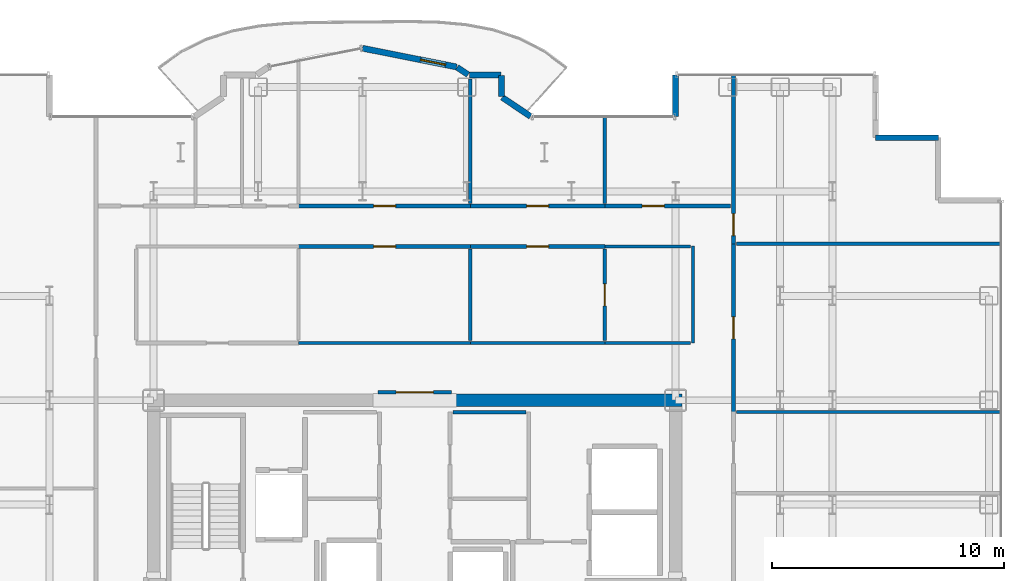
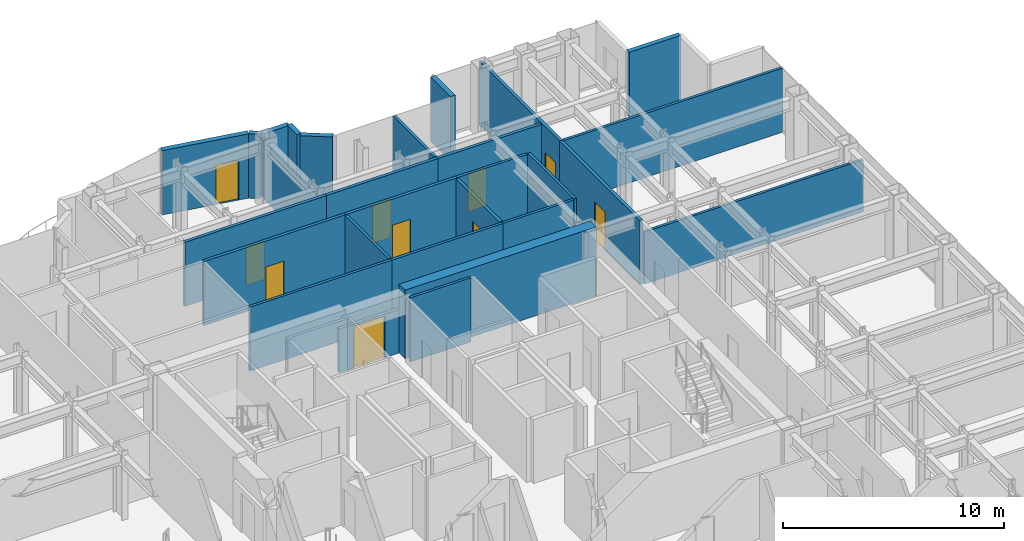
# One storey, part 20 of 23: 28 walls, 10 doors, 10 openings.
"""IFC4 building model written with IfcOpenShell, lengths in metres."""

from ifc_helpers import new_model, si_unit, direction, frame, frame_2d, origin, place, context, subcontext, project, spatial, rectangle, extrude, source, transform, mapped, material, layer, layer_set, type_object, element, fill, save


model = new_model("IFC4")

# Units and contexts
model_context = context("Model", 3, precision=1e-05, world=origin(), true_north=direction((0.0, 1.0)))
body_context = subcontext(model_context, "Body", "Model", "MODEL_VIEW")
ifc_project = project(units=[si_unit("LENGTHUNIT", "METRE"), si_unit("AREAUNIT", "SQUARE_METRE"), si_unit("VOLUMEUNIT", "CUBIC_METRE"), si_unit("PLANEANGLEUNIT", "RADIAN"), si_unit("MASSUNIT", "GRAM", prefix="KILO")], contexts=[model_context])

# Site, building, storey
site_placement = place(None, origin())
site = spatial("IfcSite", under=ifc_project, at=site_placement, CompositionType="ELEMENT")
building_placement = place(site_placement, origin())
building = spatial("IfcBuilding", under=site, at=building_placement, Name="Nefas-Gora Pilgrimage Tower", CompositionType="ELEMENT")
storey_placement = place(building_placement, frame((0.0, 0.0, 156.39990234375)))
storey = spatial("IfcBuildingStorey", under=building, at=storey_placement, Name="L38", CompositionType="ELEMENT", Elevation=156.39990234375)

# Walls
ifc_material_1 = material(Name="Concrete C60/75", Category="concrete")
ifc_layer_1 = layer(ifc_material_1, 0.550048828125)
ifc_layer_set_1 = layer_set([ifc_layer_1], Name="Concrete C60/75")
wall_type_1 = type_object("IfcWallType", Name="SW-CORE-550", PredefinedType="SHEAR", material=ifc_layer_set_1)
shared_shape_1 = source(origin(), body_context, "Body", "SweptSolid", [
    extrude(rectangle(XDim=9.974853515625, YDim=0.550048828125, at=frame_2d((4.9873046875, 0.0))), origin(), (0.0, 0.0, 1.0), 3.800048828125),
])
wall_1_placement = place(storey_placement, frame((1.550048828125, 9.0, 0.0), z_axis=(0.0, 0.0, 1.0), x_axis=(1.0, 0.0, 0.0)))
element("IfcWall", 1, at=wall_1_placement, inside=storey, type_object=wall_type_1, Name="L38 Core Shear Wall N-East", PredefinedType="SHEAR", context=body_context, shape_type="MappedRepresentation", body=[
    mapped(shared_shape_1, transform((0.0, 0.0, 0.0), x_axis=(1.0, 0.0, 0.0), y_axis=(0.0, 1.0, 0.0), z_axis=(0.0, 0.0, 1.0), scale=1.0)),
])
ifc_material_2 = material(Name="Precast concrete C40/50", Category="concrete")
ifc_layer_2 = layer(ifc_material_2, 0.260009765625)
ifc_layer_set_2 = layer_set([ifc_layer_2], Name="Precast concrete C40/50")
wall_type_2 = type_object("IfcWallType", Name="EW-PORTAL-260", PredefinedType="SOLIDWALL", material=ifc_layer_set_2)
shared_shape_2 = source(origin(), body_context, "Body", "SweptSolid", [
    extrude(rectangle(XDim=1.800048828125, YDim=0.260009765625, at=frame_2d((0.89990234375, 0.0))), origin(), (0.0, 0.0, 1.0), 3.550048828125),
])
wall_2_placement = place(storey_placement, frame((11.25, 23.02001953125, 0.0), z_axis=(0.0, 0.0, 1.0), x_axis=(0.0, -1.0, 0.0)))
element("IfcWall", 2, at=wall_2_placement, inside=storey, type_object=wall_type_2, Name="L38 Lobe Shoulder Precast Spandrel Pier 10", PredefinedType="SOLIDWALL", context=body_context, shape_type="MappedRepresentation", body=[
    mapped(shared_shape_2, transform((0.0, 0.0, 0.0), x_axis=(1.0, 0.0, 0.0), y_axis=(0.0, 1.0, 0.0), z_axis=(0.0, 0.0, 1.0), scale=1.0)),
])
ifc_material_3 = material(Name="Precast concrete C45/55", Category="concrete")
ifc_layer_3 = layer(ifc_material_3, 0.239990234375)
ifc_layer_set_3 = layer_set([ifc_layer_3], Name="Precast concrete C45/55")
wall_type_3 = type_object("IfcWallType", Name="EW-SERR-240", PredefinedType="SHEAR", material=ifc_layer_set_3)
shared_shape_3 = source(origin(), body_context, "Body", "SweptSolid", [
    extrude(rectangle(XDim=2.699951171875, YDim=0.239990234375, at=frame_2d((1.35009765625, 0.0))), origin(), (0.0, 0.0, 1.0), 3.550048828125),
])
wall_3_placement = place(storey_placement, frame((22.570068359375, 20.320068359375, 0.0), z_axis=(0.0, 0.0, 1.0), x_axis=(-1.0, 0.0, 0.0)))
element("IfcWall", 3, at=wall_3_placement, inside=storey, type_object=wall_type_3, Name="L38 Serrated Corner Shear Pier Wall 8", PredefinedType="SHEAR", context=body_context, shape_type="MappedRepresentation", body=[
    mapped(shared_shape_3, transform((0.0, 0.0, 0.0), x_axis=(1.0, 0.0, 0.0), y_axis=(0.0, 1.0, 0.0), z_axis=(0.0, 0.0, 1.0), scale=1.0)),
])
shared_shape_4 = source(origin(), body_context, "Body", "SweptSolid", [
    extrude(rectangle(XDim=1.468994140625, YDim=0.260009765625, at=frame_2d((0.734375, 0.0))), origin(), (0.0, 0.0, 1.0), 3.550048828125),
])
wall_4_placement = place(storey_placement, frame((4.99462890625, 21.235595703125, 0.0), z_axis=(0.0, 0.0, 1.0), x_axis=(-0.831461760506, 0.555581983884, 0.0)))
element("IfcWall", 4, at=wall_4_placement, inside=storey, type_object=wall_type_2, Name="L38 Lobe Shoulder Precast Spandrel Pier 11", PredefinedType="SOLIDWALL", context=body_context, shape_type="MappedRepresentation", body=[
    mapped(shared_shape_4, transform((0.0, 0.0, 0.0), x_axis=(1.0, 0.0, 0.0), y_axis=(0.0, 1.0, 0.0), z_axis=(0.0, 0.0, 1.0), scale=1.0)),
])
shared_shape_5 = source(origin(), body_context, "Body", "SweptSolid", [
    extrude(rectangle(XDim=0.896728515625, YDim=0.260009765625, at=frame_2d((0.4482421875, 0.0))), origin(), (0.0, 0.0, 1.0), 3.550048828125),
])
wall_5_placement = place(storey_placement, frame((3.75, 22.09521484375, 0.0), z_axis=(0.0, 0.0, 1.0), x_axis=(0.0, 1.0, 0.0)))
element("IfcWall", 5, at=wall_5_placement, inside=storey, type_object=wall_type_2, Name="L38 Lobe Shoulder Precast Spandrel Pier 12", PredefinedType="SOLIDWALL", context=body_context, shape_type="MappedRepresentation", body=[
    mapped(shared_shape_5, transform((0.0, 0.0, 0.0), x_axis=(1.0, 0.0, 0.0), y_axis=(0.0, 1.0, 0.0), z_axis=(0.0, 0.0, 1.0), scale=1.0)),
])
shared_shape_6 = source(origin(), body_context, "Body", "SweptSolid", [
    extrude(rectangle(XDim=1.369873046875, YDim=0.260009765625, at=frame_2d((0.68505859375, 0.0))), origin(), (0.0, 0.0, 1.0), 3.550048828125),
])
wall_6_placement = place(storey_placement, frame((3.721923828125, 23.02001953125, 0.0), z_axis=(0.0, 0.0, 1.0), x_axis=(-1.0, 0.0, 0.0)))
element("IfcWall", 6, at=wall_6_placement, inside=storey, type_object=wall_type_2, Name="L38 Lobe Shoulder Precast Spandrel Pier 13", PredefinedType="SOLIDWALL", context=body_context, shape_type="MappedRepresentation", body=[
    mapped(shared_shape_6, transform((0.0, 0.0, 0.0), x_axis=(1.0, 0.0, 0.0), y_axis=(0.0, 1.0, 0.0), z_axis=(0.0, 0.0, 1.0), scale=1.0)),
])
shared_shape_7 = source(origin(), body_context, "Body", "SweptSolid", [
    extrude(rectangle(XDim=0.5654296875, YDim=0.260009765625, at=frame_2d((0.28271484375, 0.0))), origin(), (0.0, 0.0, 1.0), 3.550048828125),
])
wall_7_placement = place(storey_placement, frame((2.30078125, 23.03564453125, 0.0), z_axis=(0.0, 0.0, 1.0), x_axis=(-0.831651492666, 0.555297933317, 0.0)))
element("IfcWall", 7, at=wall_7_placement, inside=storey, type_object=wall_type_2, Name="L38 Lobe Shoulder Precast Spandrel Pier 14", PredefinedType="SOLIDWALL", context=body_context, shape_type="MappedRepresentation", body=[
    mapped(shared_shape_7, transform((0.0, 0.0, 0.0), x_axis=(1.0, 0.0, 0.0), y_axis=(0.0, 1.0, 0.0), z_axis=(0.0, 0.0, 1.0), scale=1.0)),
])

# Wall, opening, door
shared_shape_8 = source(origin(), body_context, "Body", "SweptSolid", [
    extrude(rectangle(XDim=4.136962890625, YDim=0.260009765625, at=frame_2d((2.068359375, 0.0))), origin(), (0.0, 0.0, 1.0), 3.550048828125),
])
wall_8_placement = place(storey_placement, frame((1.807373046875, 23.365234375, 0.0), z_axis=(0.0, 0.0, 1.0), x_axis=(-0.980782170794, 0.195105954428, 0.0)))
wall_8 = element("IfcWall", 8, at=wall_8_placement, inside=storey, type_object=wall_type_2, Name="L38 Insulated Terrace Portal Wall 15", PredefinedType="SOLIDWALL", context=body_context, shape_type="MappedRepresentation", body=[
    mapped(shared_shape_8, transform((0.0, 0.0, 0.0), x_axis=(1.0, 0.0, 0.0), y_axis=(0.0, 1.0, 0.0), z_axis=(0.0, 0.0, 1.0), scale=1.0)),
])
opening_1_placement = place(wall_8_placement, frame((0.48779296875, 0.0, 0.0)))
opening_1 = element("IfcOpeningElement", 9, at=opening_1_placement, cuts=wall_8, Name="Opening ED-B1", PredefinedType="OPENING", context=body_context, shape_type="SweptSolid", body=[
    extrude(rectangle(XDim=1.10009765625, YDim=2.199951171875, at=frame_2d((0.550048828125, 1.10009765625))), frame((0.0, 0.139892578125, 0.0), z_axis=(0.0, -1.0, 0.0), x_axis=(1.0, 0.0, 0.0)), (0.0, 0.0, 1.0), 0.280029296875),
])
ifc_material_4 = material(Name="Thermally broken glazed aluminium balcony door", Category="aluminium")
door_type_1 = type_object("IfcDoorType", Name="DR-EXT-BAL-1100", OperationType="NOTDEFINED", PredefinedType="DOOR", material=ifc_material_4)
shared_shape_9 = source(origin(), body_context, "Body", "SweptSolid", [
    extrude(rectangle(XDim=1.10009765625, YDim=2.199951171875, at=frame_2d((0.550048828125, 1.10009765625))), frame((0.0, 0.02490234375, 0.0), z_axis=(0.0, -1.0, 0.0), x_axis=(1.0, 0.0, 0.0)), (0.0, 0.0, 1.0), 0.050048828125),
])
door_1_placement = place(opening_1_placement, origin())
door_1 = element("IfcDoor", 10, at=door_1_placement, inside=storey, type_object=door_type_1, Name="L38 Exterior Door (L38 N Lobe Wave Balcony)", OperationType="SINGLE_SWING_RIGHT", OverallHeight=2.199951171875, OverallWidth=1.10009765625, PredefinedType="DOOR", context=body_context, shape_type="MappedRepresentation", body=[
    mapped(shared_shape_9, transform((0.0, 0.0, 0.0), x_axis=(1.0, 0.0, 0.0), y_axis=(0.0, 1.0, 0.0), z_axis=(0.0, 0.0, 1.0), scale=1.0)),
])
fill(opening_1, door_1)

# Wall
ifc_material_5 = material(Name="Gypsum twin-stud partition")
ifc_layer_4 = layer(ifc_material_5, 0.139892578125)
ifc_layer_set_4 = layer_set([ifc_layer_4], Name="Gypsum twin-stud partition")
wall_type_4 = type_object("IfcWallType", Name="IW-UNIT-140", PredefinedType="PARTITIONING", material=ifc_layer_set_4)
shared_shape_10 = source(origin(), body_context, "Body", "SweptSolid", [
    extrude(rectangle(XDim=3.150146484375, YDim=0.139892578125, at=frame_2d((1.5751953125, 0.0))), origin(), (0.0, 0.0, 1.0), 3.53515625),
])
wall_9_placement = place(storey_placement, frame((1.639892578125, 8.47998046875, 0.0), z_axis=(0.0, 0.0, 1.0), x_axis=(1.0, 0.0, 0.0)))
element("IfcWall", 11, at=wall_9_placement, inside=storey, type_object=wall_type_4, Name="L38 Amenity Supply Store Partition Wall 25", PredefinedType="PARTITIONING", context=body_context, shape_type="MappedRepresentation", body=[
    mapped(shared_shape_10, transform((0.0, 0.0, 0.0), x_axis=(1.0, 0.0, 0.0), y_axis=(0.0, 1.0, 0.0), z_axis=(0.0, 0.0, 1.0), scale=1.0)),
])

# Wall, opening, door
ifc_material_6 = material(Name="Gypsum acoustic stud partition")
ifc_layer_5 = layer(ifc_material_6, 0.159912109375)
ifc_layer_set_5 = layer_set([ifc_layer_5], Name="Gypsum acoustic stud partition")
wall_type_5 = type_object("IfcWallType", Name="IW-CORR-160", PredefinedType="PARTITIONING", material=ifc_layer_set_5)
shared_shape_11 = source(origin(), body_context, "Body", "SweptSolid", [
    extrude(rectangle(XDim=3.16015625, YDim=0.159912109375, at=frame_2d((1.580078125, 0.0))), origin(), (0.0, 0.0, 1.0), 2.425048828125),
])
wall_10_placement = place(storey_placement, frame((-1.580078125, 9.35009765625, 0.0), z_axis=(0.0, 0.0, 1.0), x_axis=(1.0, 0.0, 0.0)))
wall_10 = element("IfcWall", 12, at=wall_10_placement, inside=storey, type_object=wall_type_5, Name="L38 Central Lift Lobby North Portal Wall 15", PredefinedType="PARTITIONING", context=body_context, shape_type="MappedRepresentation", body=[
    mapped(shared_shape_11, transform((0.0, 0.0, 0.0), x_axis=(1.0, 0.0, 0.0), y_axis=(0.0, 1.0, 0.0), z_axis=(0.0, 0.0, 1.0), scale=1.0)),
])
opening_2_placement = place(wall_10_placement, frame((0.780029296875, 0.0, 0.0)))
opening_2 = element("IfcOpeningElement", 13, at=opening_2_placement, cuts=wall_10, Name="Opening ID-HL1", PredefinedType="OPENING", context=body_context, shape_type="SweptSolid", body=[
    extrude(rectangle(XDim=1.60009765625, YDim=2.300048828125, at=frame_2d((0.800048828125, 1.14990234375))), frame((0.0, 0.08984375, 0.0), z_axis=(0.0, -1.0, 0.0), x_axis=(1.0, 0.0, 0.0)), (0.0, 0.0, 1.0), 0.179931640625),
])
ifc_material_7 = material(Name="Double acoustic timber assembly hall door", Category="wood")
door_type_2 = type_object("IfcDoorType", Name="DR-INT-HALL-1600", OperationType="DOUBLE_DOOR_SINGLE_SWING", PredefinedType="DOOR", material=ifc_material_7)
shared_shape_12 = source(origin(), body_context, "Body", "SweptSolid", [
    extrude(rectangle(XDim=1.60009765625, YDim=2.300048828125, at=frame_2d((0.800048828125, 1.14990234375))), frame((0.0, 0.02490234375, 0.0), z_axis=(0.0, -1.0, 0.0), x_axis=(1.0, 0.0, 0.0)), (0.0, 0.0, 1.0), 0.050048828125),
])
door_2_placement = place(opening_2_placement, origin())
door_2 = element("IfcDoor", 14, at=door_2_placement, inside=storey, type_object=door_type_2, Name="L38 Central Lift Lobby North Portal Door 5", OperationType="DOUBLE_DOOR_SINGLE_SWING", OverallHeight=2.300048828125, OverallWidth=1.60009765625, PredefinedType="DOOR", context=body_context, shape_type="MappedRepresentation", body=[
    mapped(shared_shape_12, transform((0.0, 0.0, 0.0), x_axis=(1.0, 0.0, 0.0), y_axis=(0.0, 1.0, 0.0), z_axis=(0.0, 0.0, 1.0), scale=1.0)),
])
fill(opening_2, door_2)

shared_shape_13 = source(origin(), body_context, "Body", "SweptSolid", [
    extrude(rectangle(XDim=5.425048828125, YDim=0.159912109375, at=frame_2d((2.71240234375, 0.0))), origin(), (0.0, 0.0, 1.0), 3.53515625),
])
wall_11_placement = place(storey_placement, frame((8.195068359375, 17.3701171875, 0.0), z_axis=(0.0, 0.0, 1.0), x_axis=(1.0, 0.0, 0.0)))
wall_11 = element("IfcWall", 15, at=wall_11_placement, inside=storey, type_object=wall_type_5, Name="L38 Pilgrim Contemplative Lounge Partition Wall 67", PredefinedType="PARTITIONING", context=body_context, shape_type="MappedRepresentation", body=[
    mapped(shared_shape_13, transform((0.0, 0.0, 0.0), x_axis=(1.0, 0.0, 0.0), y_axis=(0.0, 1.0, 0.0), z_axis=(0.0, 0.0, 1.0), scale=1.0)),
])
opening_3_placement = place(wall_11_placement, frame((1.611083984375, 0.0, 0.0)))
opening_3 = element("IfcOpeningElement", 16, at=opening_3_placement, cuts=wall_11, Name="Opening ID-GR1", PredefinedType="OPENING", context=body_context, shape_type="SweptSolid", body=[
    extrude(rectangle(XDim=0.949951171875, YDim=2.10009765625, at=frame_2d((0.47509765625, 1.050048828125))), frame((0.0, 0.08984375, 0.0), z_axis=(0.0, -1.0, 0.0), x_axis=(1.0, 0.0, 0.0)), (0.0, 0.0, 1.0), 0.179931640625),
])
ifc_material_8 = material(Name="Solid core oak fire-rated guest entrance door")
door_type_3 = type_object("IfcDoorType", Name="DR-INT-GUEST-950", OperationType="NOTDEFINED", PredefinedType="DOOR", material=ifc_material_8)
shared_shape_14 = source(origin(), body_context, "Body", "SweptSolid", [
    extrude(rectangle(XDim=0.949951171875, YDim=2.10009765625, at=frame_2d((0.47509765625, 1.050048828125))), frame((0.0, 0.02490234375, 0.0), z_axis=(0.0, -1.0, 0.0), x_axis=(1.0, 0.0, 0.0)), (0.0, 0.0, 1.0), 0.050048828125),
])
door_3_placement = place(opening_3_placement, origin())
door_3 = element("IfcDoor", 17, at=door_3_placement, inside=storey, type_object=door_type_3, Name="L38 Pilgrim Contemplative Lounge Door 31", OperationType="SINGLE_SWING_LEFT", OverallHeight=2.10009765625, OverallWidth=0.949951171875, PredefinedType="DOOR", context=body_context, shape_type="MappedRepresentation", body=[
    mapped(shared_shape_14, transform((0.0, 0.0, 0.0), x_axis=(1.0, 0.0, 0.0), y_axis=(0.0, 1.0, 0.0), z_axis=(0.0, 0.0, 1.0), scale=1.0)),
])
fill(opening_3, door_3)

# Walls
shared_shape_15 = source(origin(), body_context, "Body", "SweptSolid", [
    extrude(rectangle(XDim=5.360107421875, YDim=0.139892578125, at=frame_2d((2.68017578125, 0.0))), origin(), (0.0, 0.0, 1.0), 2.875),
])
wall_12_placement = place(storey_placement, frame((2.39501953125, 17.489990234375, 0.0), z_axis=(0.0, 0.0, 1.0), x_axis=(0.0, 1.0, 0.0)))
element("IfcWall", 18, at=wall_12_placement, inside=storey, type_object=wall_type_4, Name="L38 Pilgrim Contemplative Lounge Partition Wall 58", PredefinedType="PARTITIONING", context=body_context, shape_type="MappedRepresentation", body=[
    mapped(shared_shape_15, transform((0.0, 0.0, 0.0), x_axis=(1.0, 0.0, 0.0), y_axis=(0.0, 1.0, 0.0), z_axis=(0.0, 0.0, 1.0), scale=1.0)),
])
shared_shape_16 = source(origin(), body_context, "Body", "SweptSolid", [
    extrude(rectangle(XDim=11.429931640625, YDim=0.139892578125, at=frame_2d((5.71484375, 0.0))), origin(), (0.0, 0.0, 1.0), 2.875),
])
wall_13_placement = place(storey_placement, frame((13.860107421875, 8.4951171875, 0.0), z_axis=(0.0, 0.0, 1.0), x_axis=(1.0, 0.0, 0.0)))
element("IfcWall", 19, at=wall_13_placement, inside=storey, type_object=wall_type_4, Name="L38 Scripture Reading Study Partition Wall 46", PredefinedType="PARTITIONING", context=body_context, shape_type="MappedRepresentation", body=[
    mapped(shared_shape_16, transform((0.0, 0.0, 0.0), x_axis=(1.0, 0.0, 0.0), y_axis=(0.0, 1.0, 0.0), z_axis=(0.0, 0.0, 1.0), scale=1.0)),
])
shared_shape_17 = source(origin(), body_context, "Body", "SweptSolid", [
    extrude(rectangle(XDim=11.429931640625, YDim=0.139892578125, at=frame_2d((5.71484375, 0.0))), origin(), (0.0, 0.0, 1.0), 3.53515625),
])
wall_14_placement = place(storey_placement, frame((13.860107421875, 15.74755859375, 0.0), z_axis=(0.0, 0.0, 1.0), x_axis=(1.0, 0.0, 0.0)))
element("IfcWall", 20, at=wall_14_placement, inside=storey, type_object=wall_type_4, Name="L38 Pilgrim Contemplative Lounge Partition Wall 48", PredefinedType="PARTITIONING", context=body_context, shape_type="MappedRepresentation", body=[
    mapped(shared_shape_17, transform((0.0, 0.0, 0.0), x_axis=(1.0, 0.0, 0.0), y_axis=(0.0, 1.0, 0.0), z_axis=(0.0, 0.0, 1.0), scale=1.0)),
])

# Wall, opening, door
shared_shape_18 = source(origin(), body_context, "Body", "SweptSolid", [
    extrude(rectangle(XDim=7.302490234375, YDim=0.159912109375, at=frame_2d((3.6513671875, 0.0))), origin(), (0.0, 0.0, 1.0), 3.53515625),
])
wall_15_placement = place(storey_placement, frame((13.739990234375, 15.737548828125, 0.0), z_axis=(0.0, 0.0, 1.0), x_axis=(0.0, 1.0, 0.0)))
wall_15 = element("IfcWall", 21, at=wall_15_placement, inside=storey, type_object=wall_type_5, Name="L38 Pilgrim Contemplative Lounge Partition Wall 47", PredefinedType="PARTITIONING", context=body_context, shape_type="MappedRepresentation", body=[
    mapped(shared_shape_18, transform((0.0, 0.0, 0.0), x_axis=(1.0, 0.0, 0.0), y_axis=(0.0, 1.0, 0.0), z_axis=(0.0, 0.0, 1.0), scale=1.0)),
])
opening_4_placement = place(wall_15_placement, frame((0.361328125, 0.0, 0.0)))
opening_4 = element("IfcOpeningElement", 22, at=opening_4_placement, cuts=wall_15, Name="Opening ID-GR1", PredefinedType="OPENING", context=body_context, shape_type="SweptSolid", body=[
    extrude(rectangle(XDim=0.949951171875, YDim=2.10009765625, at=frame_2d((0.47509765625, 1.050048828125))), frame((0.0, 0.08984375, 0.0), z_axis=(0.0, -1.0, 0.0), x_axis=(1.0, 0.0, 0.0)), (0.0, 0.0, 1.0), 0.179931640625),
])
door_4_placement = place(opening_4_placement, origin())
door_4 = element("IfcDoor", 23, at=door_4_placement, inside=storey, type_object=door_type_3, Name="L38 Pilgrim Contemplative Lounge Door 21", OperationType="SINGLE_SWING_LEFT", OverallHeight=2.10009765625, OverallWidth=0.949951171875, PredefinedType="DOOR", context=body_context, shape_type="MappedRepresentation", body=[
    mapped(shared_shape_14, transform((0.0, 0.0, 0.0), x_axis=(1.0, 0.0, 0.0), y_axis=(0.0, 1.0, 0.0), z_axis=(0.0, 0.0, 1.0), scale=1.0)),
])
fill(opening_4, door_4)

shared_shape_19 = source(origin(), body_context, "Body", "SweptSolid", [
    extrude(rectangle(XDim=7.242431640625, YDim=0.159912109375, at=frame_2d((3.62109375, 0.0))), origin(), (0.0, 0.0, 1.0), 3.53515625),
])
wall_16_placement = place(storey_placement, frame((13.739990234375, 8.4951171875, 0.0), z_axis=(0.0, 0.0, 1.0), x_axis=(0.0, 1.0, 0.0)))
wall_16 = element("IfcWall", 24, at=wall_16_placement, inside=storey, type_object=wall_type_5, Name="L38 Pilgrim Contemplative Lounge Partition Wall 49", PredefinedType="PARTITIONING", context=body_context, shape_type="MappedRepresentation", body=[
    mapped(shared_shape_19, transform((0.0, 0.0, 0.0), x_axis=(1.0, 0.0, 0.0), y_axis=(0.0, 1.0, 0.0), z_axis=(0.0, 0.0, 1.0), scale=1.0)),
])
opening_5_placement = place(wall_16_placement, frame((3.146240234375, 0.0, 0.0)))
opening_5 = element("IfcOpeningElement", 25, at=opening_5_placement, cuts=wall_16, Name="Opening ID-GR1", PredefinedType="OPENING", context=body_context, shape_type="SweptSolid", body=[
    extrude(rectangle(XDim=0.949951171875, YDim=2.10009765625, at=frame_2d((0.47509765625, 1.050048828125))), frame((0.0, 0.08984375, 0.0), z_axis=(0.0, -1.0, 0.0), x_axis=(1.0, 0.0, 0.0)), (0.0, 0.0, 1.0), 0.179931640625),
])
door_5_placement = place(opening_5_placement, origin())
door_5 = element("IfcDoor", 26, at=door_5_placement, inside=storey, type_object=door_type_3, Name="L38 Pilgrim Contemplative Lounge Door 22", OperationType="SINGLE_SWING_RIGHT", OverallHeight=2.10009765625, OverallWidth=0.949951171875, PredefinedType="DOOR", context=body_context, shape_type="MappedRepresentation", body=[
    mapped(shared_shape_14, transform((0.0, 0.0, 0.0), x_axis=(1.0, 0.0, 0.0), y_axis=(0.0, 1.0, 0.0), z_axis=(0.0, 0.0, 1.0), scale=1.0)),
])
fill(opening_5, door_5)

# Wall
shared_shape_20 = source(origin(), body_context, "Body", "SweptSolid", [
    extrude(rectangle(XDim=3.929931640625, YDim=0.139892578125, at=frame_2d((1.96484375, 0.0))), origin(), (0.0, 0.0, 1.0), 3.53515625),
])
wall_17_placement = place(storey_placement, frame((2.39501953125, 11.580078125, 0.0), z_axis=(0.0, 0.0, 1.0), x_axis=(0.0, 1.0, 0.0)))
element("IfcWall", 27, at=wall_17_placement, inside=storey, type_object=wall_type_4, Name="L38 Pilgrim Contemplative Lounge Partition Wall 61", PredefinedType="PARTITIONING", context=body_context, shape_type="MappedRepresentation", body=[
    mapped(shared_shape_20, transform((0.0, 0.0, 0.0), x_axis=(1.0, 0.0, 0.0), y_axis=(0.0, 1.0, 0.0), z_axis=(0.0, 0.0, 1.0), scale=1.0)),
])

# Wall, opening, door
shared_shape_21 = source(origin(), body_context, "Body", "SweptSolid", [
    extrude(rectangle(XDim=7.409912109375, YDim=0.159912109375, at=frame_2d((3.705078125, 0.0))), origin(), (0.0, 0.0, 1.0), 3.53515625),
])
wall_18_placement = place(storey_placement, frame((-5.0048828125, 17.3701171875, 0.0), z_axis=(0.0, 0.0, 1.0), x_axis=(1.0, 0.0, 0.0)))
wall_18 = element("IfcWall", 28, at=wall_18_placement, inside=storey, type_object=wall_type_5, Name="L38 Pilgrim Contemplative Lounge Partition Wall 57", PredefinedType="PARTITIONING", context=body_context, shape_type="MappedRepresentation", body=[
    mapped(shared_shape_21, transform((0.0, 0.0, 0.0), x_axis=(1.0, 0.0, 0.0), y_axis=(0.0, 1.0, 0.0), z_axis=(0.0, 0.0, 1.0), scale=1.0)),
])
opening_6_placement = place(wall_18_placement, frame((3.22998046875, 0.0, 0.0)))
opening_6 = element("IfcOpeningElement", 29, at=opening_6_placement, cuts=wall_18, Name="Opening ID-GR1", PredefinedType="OPENING", context=body_context, shape_type="SweptSolid", body=[
    extrude(rectangle(XDim=0.949951171875, YDim=2.10009765625, at=frame_2d((0.47509765625, 1.050048828125))), frame((0.0, 0.08984375, 0.0), z_axis=(0.0, -1.0, 0.0), x_axis=(1.0, 0.0, 0.0)), (0.0, 0.0, 1.0), 0.179931640625),
])
door_6_placement = place(opening_6_placement, origin())
door_6 = element("IfcDoor", 30, at=door_6_placement, inside=storey, type_object=door_type_3, Name="L38 Pilgrim Contemplative Lounge Door 26", OperationType="SINGLE_SWING_RIGHT", OverallHeight=2.10009765625, OverallWidth=0.949951171875, PredefinedType="DOOR", context=body_context, shape_type="MappedRepresentation", body=[
    mapped(shared_shape_14, transform((0.0, 0.0, 0.0), x_axis=(1.0, 0.0, 0.0), y_axis=(0.0, 1.0, 0.0), z_axis=(0.0, 0.0, 1.0), scale=1.0)),
])
fill(opening_6, door_6)

wall_19_placement = place(storey_placement, frame((-5.0048828125, 15.6298828125, 0.0), z_axis=(0.0, 0.0, 1.0), x_axis=(1.0, 0.0, 0.0)))
wall_19 = element("IfcWall", 31, at=wall_19_placement, inside=storey, type_object=wall_type_5, Name="L38 Pilgrim Contemplative Lounge Partition Wall 59", PredefinedType="PARTITIONING", context=body_context, shape_type="MappedRepresentation", body=[
    mapped(shared_shape_21, transform((0.0, 0.0, 0.0), x_axis=(1.0, 0.0, 0.0), y_axis=(0.0, 1.0, 0.0), z_axis=(0.0, 0.0, 1.0), scale=1.0)),
])
opening_7_placement = place(wall_19_placement, frame((3.22998046875, 0.0, 0.0)))
opening_7 = element("IfcOpeningElement", 32, at=opening_7_placement, cuts=wall_19, Name="Opening ID-GR1", PredefinedType="OPENING", context=body_context, shape_type="SweptSolid", body=[
    extrude(rectangle(XDim=0.949951171875, YDim=2.10009765625, at=frame_2d((0.47509765625, 1.050048828125))), frame((0.0, 0.08984375, 0.0), z_axis=(0.0, -1.0, 0.0), x_axis=(1.0, 0.0, 0.0)), (0.0, 0.0, 1.0), 0.179931640625),
])
door_7_placement = place(opening_7_placement, origin())
door_7 = element("IfcDoor", 33, at=door_7_placement, inside=storey, type_object=door_type_3, Name="L38 Pilgrim Contemplative Lounge Door 27", OperationType="SINGLE_SWING_LEFT", OverallHeight=2.10009765625, OverallWidth=0.949951171875, PredefinedType="DOOR", context=body_context, shape_type="MappedRepresentation", body=[
    mapped(shared_shape_14, transform((0.0, 0.0, 0.0), x_axis=(1.0, 0.0, 0.0), y_axis=(0.0, 1.0, 0.0), z_axis=(0.0, 0.0, 1.0), scale=1.0)),
])
fill(opening_7, door_7)

# Wall
shared_shape_22 = source(origin(), body_context, "Body", "SweptSolid", [
    extrude(rectangle(XDim=7.409912109375, YDim=0.139892578125, at=frame_2d((3.705078125, 0.0))), origin(), (0.0, 0.0, 1.0), 3.53515625),
])
wall_20_placement = place(storey_placement, frame((-5.0048828125, 11.469970703125, 0.0), z_axis=(0.0, 0.0, 1.0), x_axis=(1.0, 0.0, 0.0)))
element("IfcWall", 34, at=wall_20_placement, inside=storey, type_object=wall_type_4, Name="L38 Pilgrim Contemplative Lounge Partition Wall 60", PredefinedType="PARTITIONING", context=body_context, shape_type="MappedRepresentation", body=[
    mapped(shared_shape_22, transform((0.0, 0.0, 0.0), x_axis=(1.0, 0.0, 0.0), y_axis=(0.0, 1.0, 0.0), z_axis=(0.0, 0.0, 1.0), scale=1.0)),
])

# Wall, opening, door
shared_shape_23 = source(origin(), body_context, "Body", "SweptSolid", [
    extrude(rectangle(XDim=5.81005859375, YDim=0.159912109375, at=frame_2d((2.905029296875, 0.0))), origin(), (0.0, 0.0, 1.0), 3.53515625),
])
wall_21_placement = place(storey_placement, frame((2.39501953125, 17.3701171875, 0.0), z_axis=(0.0, 0.0, 1.0), x_axis=(1.0, 0.0, 0.0)))
wall_21 = element("IfcWall", 35, at=wall_21_placement, inside=storey, type_object=wall_type_5, Name="L38 Pilgrim Contemplative Lounge Partition Wall 62", PredefinedType="PARTITIONING", context=body_context, shape_type="MappedRepresentation", body=[
    mapped(shared_shape_23, transform((0.0, 0.0, 0.0), x_axis=(1.0, 0.0, 0.0), y_axis=(0.0, 1.0, 0.0), z_axis=(0.0, 0.0, 1.0), scale=1.0)),
])
opening_8_placement = place(wall_21_placement, frame((2.429931640625, 0.0, 0.0)))
opening_8 = element("IfcOpeningElement", 36, at=opening_8_placement, cuts=wall_21, Name="Opening ID-GR1", PredefinedType="OPENING", context=body_context, shape_type="SweptSolid", body=[
    extrude(rectangle(XDim=0.949951171875, YDim=2.10009765625, at=frame_2d((0.47509765625, 1.050048828125))), frame((0.0, 0.08984375, 0.0), z_axis=(0.0, -1.0, 0.0), x_axis=(1.0, 0.0, 0.0)), (0.0, 0.0, 1.0), 0.179931640625),
])
door_8_placement = place(opening_8_placement, origin())
door_8 = element("IfcDoor", 37, at=door_8_placement, inside=storey, type_object=door_type_3, Name="L38 Pilgrim Contemplative Lounge Door 28", OperationType="SINGLE_SWING_RIGHT", OverallHeight=2.10009765625, OverallWidth=0.949951171875, PredefinedType="DOOR", context=body_context, shape_type="MappedRepresentation", body=[
    mapped(shared_shape_14, transform((0.0, 0.0, 0.0), x_axis=(1.0, 0.0, 0.0), y_axis=(0.0, 1.0, 0.0), z_axis=(0.0, 0.0, 1.0), scale=1.0)),
])
fill(opening_8, door_8)

wall_22_placement = place(storey_placement, frame((2.39501953125, 15.6298828125, 0.0), z_axis=(0.0, 0.0, 1.0), x_axis=(1.0, 0.0, 0.0)))
wall_22 = element("IfcWall", 38, at=wall_22_placement, inside=storey, type_object=wall_type_5, Name="L38 Pilgrim Contemplative Lounge Partition Wall 64", PredefinedType="PARTITIONING", context=body_context, shape_type="MappedRepresentation", body=[
    mapped(shared_shape_23, transform((0.0, 0.0, 0.0), x_axis=(1.0, 0.0, 0.0), y_axis=(0.0, 1.0, 0.0), z_axis=(0.0, 0.0, 1.0), scale=1.0)),
])
opening_9_placement = place(wall_22_placement, frame((2.429931640625, 0.0, 0.0)))
opening_9 = element("IfcOpeningElement", 39, at=opening_9_placement, cuts=wall_22, Name="Opening ID-GR1", PredefinedType="OPENING", context=body_context, shape_type="SweptSolid", body=[
    extrude(rectangle(XDim=0.949951171875, YDim=2.10009765625, at=frame_2d((0.47509765625, 1.050048828125))), frame((0.0, 0.08984375, 0.0), z_axis=(0.0, -1.0, 0.0), x_axis=(1.0, 0.0, 0.0)), (0.0, 0.0, 1.0), 0.179931640625),
])
door_9_placement = place(opening_9_placement, origin())
door_9 = element("IfcDoor", 40, at=door_9_placement, inside=storey, type_object=door_type_3, Name="L38 Pilgrim Contemplative Lounge Door 29", OperationType="SINGLE_SWING_LEFT", OverallHeight=2.10009765625, OverallWidth=0.949951171875, PredefinedType="DOOR", context=body_context, shape_type="MappedRepresentation", body=[
    mapped(shared_shape_14, transform((0.0, 0.0, 0.0), x_axis=(1.0, 0.0, 0.0), y_axis=(0.0, 1.0, 0.0), z_axis=(0.0, 0.0, 1.0), scale=1.0)),
])
fill(opening_9, door_9)

# Walls
shared_shape_24 = source(origin(), body_context, "Body", "SweptSolid", [
    extrude(rectangle(XDim=3.75, YDim=0.139892578125, at=frame_2d((1.875, 0.0))), origin(), (0.0, 0.0, 1.0), 3.53515625),
])
wall_23_placement = place(storey_placement, frame((8.195068359375, 17.489990234375, 0.0), z_axis=(0.0, 0.0, 1.0), x_axis=(0.0, 1.0, 0.0)))
element("IfcWall", 41, at=wall_23_placement, inside=storey, type_object=wall_type_4, Name="L38 Pilgrim Contemplative Lounge Partition Wall 63", PredefinedType="PARTITIONING", context=body_context, shape_type="MappedRepresentation", body=[
    mapped(shared_shape_24, transform((0.0, 0.0, 0.0), x_axis=(1.0, 0.0, 0.0), y_axis=(0.0, 1.0, 0.0), z_axis=(0.0, 0.0, 1.0), scale=1.0)),
])
shared_shape_25 = source(origin(), body_context, "Body", "SweptSolid", [
    extrude(rectangle(XDim=5.81005859375, YDim=0.139892578125, at=frame_2d((2.905029296875, 0.0))), origin(), (0.0, 0.0, 1.0), 3.53515625),
])
wall_24_placement = place(storey_placement, frame((2.39501953125, 11.469970703125, 0.0), z_axis=(0.0, 0.0, 1.0), x_axis=(1.0, 0.0, 0.0)))
element("IfcWall", 42, at=wall_24_placement, inside=storey, type_object=wall_type_4, Name="L38 Pilgrim Contemplative Lounge Partition Wall 65", PredefinedType="PARTITIONING", context=body_context, shape_type="MappedRepresentation", body=[
    mapped(shared_shape_25, transform((0.0, 0.0, 0.0), x_axis=(1.0, 0.0, 0.0), y_axis=(0.0, 1.0, 0.0), z_axis=(0.0, 0.0, 1.0), scale=1.0)),
])

# Wall, opening, door
shared_shape_26 = source(origin(), body_context, "Body", "SweptSolid", [
    extrude(rectangle(XDim=3.929931640625, YDim=0.159912109375, at=frame_2d((1.96484375, 0.0))), origin(), (0.0, 0.0, 1.0), 3.53515625),
])
wall_25_placement = place(storey_placement, frame((8.195068359375, 11.580078125, 0.0), z_axis=(0.0, 0.0, 1.0), x_axis=(0.0, 1.0, 0.0)))
wall_25 = element("IfcWall", 43, at=wall_25_placement, inside=storey, type_object=wall_type_5, Name="L38 Pilgrim Contemplative Lounge Partition Wall 66", PredefinedType="PARTITIONING", context=body_context, shape_type="MappedRepresentation", body=[
    mapped(shared_shape_26, transform((0.0, 0.0, 0.0), x_axis=(1.0, 0.0, 0.0), y_axis=(0.0, 1.0, 0.0), z_axis=(0.0, 0.0, 1.0), scale=1.0)),
])
opening_10_placement = place(wall_25_placement, frame((1.489990234375, 0.0, 0.0)))
opening_10 = element("IfcOpeningElement", 44, at=opening_10_placement, cuts=wall_25, Name="Opening ID-GR1", PredefinedType="OPENING", context=body_context, shape_type="SweptSolid", body=[
    extrude(rectangle(XDim=0.949951171875, YDim=2.10009765625, at=frame_2d((0.47509765625, 1.050048828125))), frame((0.0, 0.08984375, 0.0), z_axis=(0.0, -1.0, 0.0), x_axis=(1.0, 0.0, 0.0)), (0.0, 0.0, 1.0), 0.179931640625),
])
door_10_placement = place(opening_10_placement, origin())
door_10 = element("IfcDoor", 45, at=door_10_placement, inside=storey, type_object=door_type_3, Name="L38 Pilgrim Contemplative Lounge Door 30", OperationType="SINGLE_SWING_RIGHT", OverallHeight=2.10009765625, OverallWidth=0.949951171875, PredefinedType="DOOR", context=body_context, shape_type="MappedRepresentation", body=[
    mapped(shared_shape_14, transform((0.0, 0.0, 0.0), x_axis=(1.0, 0.0, 0.0), y_axis=(0.0, 1.0, 0.0), z_axis=(0.0, 0.0, 1.0), scale=1.0)),
])
fill(opening_10, door_10)

# Walls
shared_shape_27 = source(origin(), body_context, "Body", "SweptSolid", [
    extrude(rectangle(XDim=4.179931640625, YDim=0.139892578125, at=frame_2d((2.08984375, 0.0))), origin(), (0.0, 0.0, 1.0), 3.53515625),
])
wall_26_placement = place(storey_placement, frame((12.0, 11.4599609375, 0.0), z_axis=(0.0, 0.0, 1.0), x_axis=(0.0, 1.0, 0.0)))
element("IfcWall", 46, at=wall_26_placement, inside=storey, type_object=wall_type_4, Name="L38 Pilgrim Contemplative Lounge Partition Wall 68", PredefinedType="PARTITIONING", context=body_context, shape_type="MappedRepresentation", body=[
    mapped(shared_shape_27, transform((0.0, 0.0, 0.0), x_axis=(1.0, 0.0, 0.0), y_axis=(0.0, 1.0, 0.0), z_axis=(0.0, 0.0, 1.0), scale=1.0)),
])
shared_shape_28 = source(origin(), body_context, "Body", "SweptSolid", [
    extrude(rectangle(XDim=3.69482421875, YDim=0.139892578125, at=frame_2d((1.847412109375, 0.0))), origin(), (0.0, 0.0, 1.0), 3.53515625),
])
for number, where, z_axis, x_axis, name in (
    (47, (8.195068359375, 15.6298828125, 0.0), (0.0, 0.0, 1.0), (1.0, 0.0, 0.0), "L38 Pilgrim Contemplative Lounge Partition Wall 69"),
    (48, (8.195068359375, 11.469970703125, 0.0), (0.0, 0.0, 1.0), (1.0, 0.0, 0.0), "L38 Pilgrim Contemplative Lounge Partition Wall 70"),
):
    element("IfcWall", number, at=place(storey_placement, frame(where, z_axis=z_axis, x_axis=x_axis)), inside=storey, type_object=wall_type_4, Name=name, PredefinedType="PARTITIONING", context=body_context, shape_type="MappedRepresentation", body=[
        mapped(shared_shape_28, transform((0.0, 0.0, 0.0), x_axis=(1.0, 0.0, 0.0), y_axis=(0.0, 1.0, 0.0), z_axis=(0.0, 0.0, 1.0), scale=1.0)),
    ])

save(model, "model.ifc")
